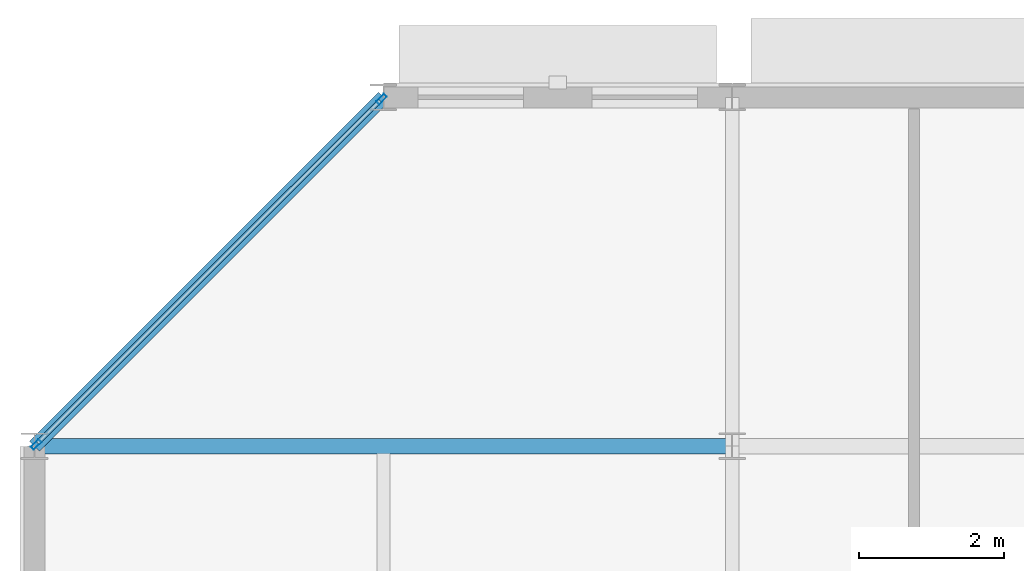
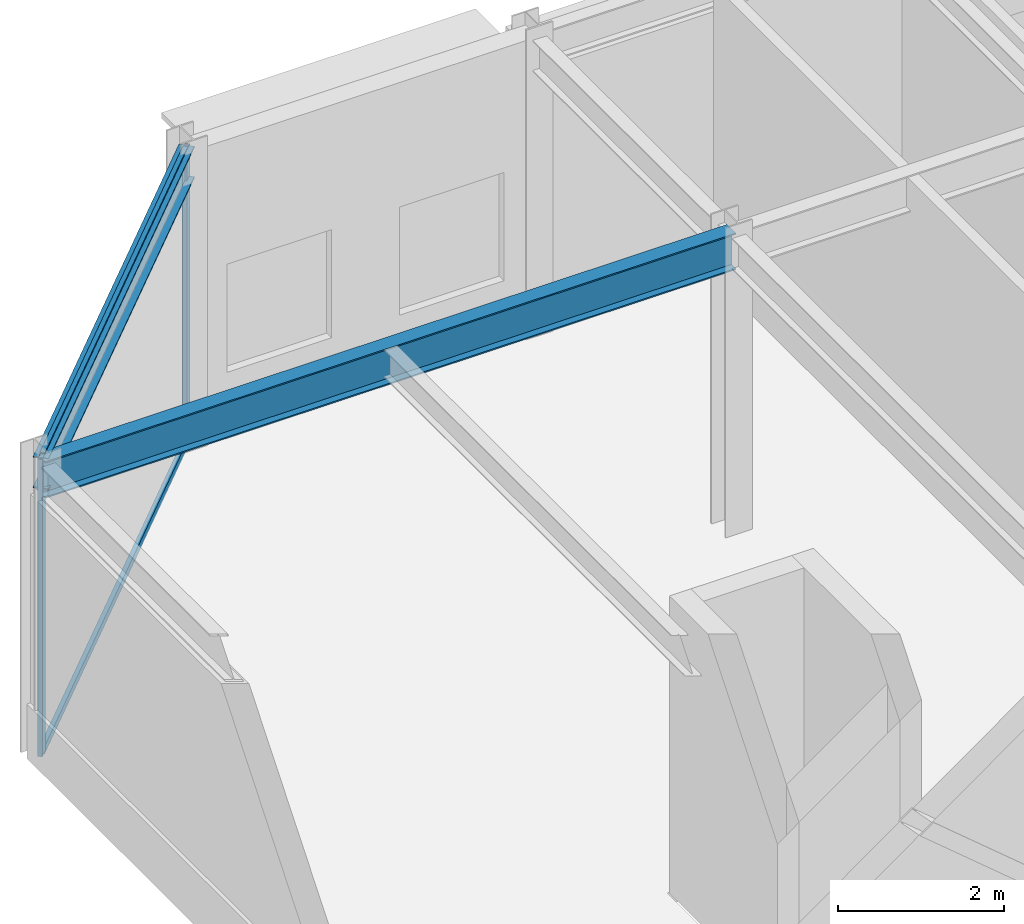
# One storey, part 43 of 116: 4 members, 2 beams, 1 element without a shape of its own.
"""IFC4 building model written with IfcOpenShell, lengths in metres."""

import ifcopenshell
import ifcopenshell.guid

model = None  # the IFC model being written
_history = None  # IfcOwnerHistory: only IFC2X3 demands one
_inside = {}  # id of a spatial element -> (the spatial element, [elements in it])
_under = {}  # id of a project, library or spatial element -> (it, [spatial elements below it])
_declared = {}  # id of a project -> (the project, [libraries it declares])
_typed = {}  # id of a type object -> (the type object, [elements of that type])
_made_of = {}  # id of a material, layer set ... -> (it, [elements and type objects made of it])


def new_model(schema):
    """Start an empty IFC model of exactly this schema.

    Asked for "IFC4X3", IfcOpenShell would pick the latest addendum, in which some entities
    have other attributes; the version numbers below select the first issue.
    IFC2X3 requires an IfcOwnerHistory on every rooted entity: one is made here for all.
    """
    global model, _history
    if schema == "IFC4X3":
        model = ifcopenshell.file(schema_version=(4, 3, 0, 0))
    else:
        model = ifcopenshell.file(schema=schema)
    _inside.clear()
    _under.clear()
    _declared.clear()
    _typed.clear()
    _made_of.clear()
    _history = None
    if model.schema == "IFC2X3":
        org = make("IfcOrganization", Name="unknown")
        user = make(
            "IfcPersonAndOrganization",
            ThePerson=make("IfcPerson", FamilyName="unknown"),
            TheOrganization=org,
        )
        app = make(
            "IfcApplication",
            ApplicationDeveloper=org,
            Version="unknown",
            ApplicationFullName="unknown",
            ApplicationIdentifier="unknown",
        )
        _history = make(
            "IfcOwnerHistory",
            OwningUser=user,
            OwningApplication=app,
            ChangeAction="ADDED",
            CreationDate=0,
        )
    return model


def make(cls, **values):
    """One entity of the class cls with the attributes given. An attribute that is None is left unset."""
    return model.create_entity(
        cls, **{name: value for name, value in values.items() if value is not None}
    )


def rooted(cls, **values):
    """An entity with a GlobalId (a new one), such as an element, a storey or a relation."""
    return make(cls, GlobalId=ifcopenshell.guid.new(), OwnerHistory=_history, **values)


def si_unit(unit_type, name, prefix=None):
    """IfcSIUnit, for example si_unit("LENGTHUNIT", "METRE", prefix="MILLI")."""
    return make("IfcSIUnit", UnitType=unit_type, Prefix=prefix, Name=name)


def assignment(units):
    """IfcUnitAssignment: the units of a project."""
    return None if units is None else make("IfcUnitAssignment", Units=units)


def point(xyz):
    """IfcCartesianPoint."""
    return None if xyz is None else make("IfcCartesianPoint", Coordinates=xyz)


def direction(xyz):
    """IfcDirection."""
    return None if xyz is None else make("IfcDirection", DirectionRatios=xyz)


def frame(location, z_axis=None, x_axis=None):
    """IfcAxis2Placement3D, a coordinate frame: its origin and axes. An axis left out is left unset."""
    return make(
        "IfcAxis2Placement3D",
        Location=point(location),
        Axis=direction(z_axis),
        RefDirection=direction(x_axis),
    )


def frame_2d(location, x_axis=None):
    """IfcAxis2Placement2D, a coordinate frame in the plane: its origin and x axis."""
    return make(
        "IfcAxis2Placement2D", Location=point(location), RefDirection=direction(x_axis)
    )


def origin():
    """The frame at (0, 0, 0) with its axes left unset."""
    return frame((0.0, 0.0, 0.0))


def origin_2d():
    """The frame at (0, 0) in the plane with its x axis left unset."""
    return frame_2d((0.0, 0.0))


def place(relative_to, where):
    """IfcLocalPlacement: puts the frame where relative to a parent placement (None: the world)."""
    return make(
        "IfcLocalPlacement", PlacementRelTo=relative_to, RelativePlacement=where
    )


def context(
    kind, dimensions, precision=None, world=None, true_north=None, identifier=None
):
    """IfcGeometricRepresentationContext, for example the 3D "Model" context."""
    return make(
        "IfcGeometricRepresentationContext",
        ContextIdentifier=identifier,
        ContextType=kind,
        CoordinateSpaceDimension=dimensions,
        Precision=precision,
        WorldCoordinateSystem=world,
        TrueNorth=true_north,
    )


def subcontext(parent, identifier, kind, view, scale=None):
    """IfcGeometricRepresentationSubContext, for example "Body" below "Model"."""
    return make(
        "IfcGeometricRepresentationSubContext",
        ContextIdentifier=identifier,
        ContextType=kind,
        ParentContext=parent,
        TargetScale=scale,
        TargetView=view,
    )


def project(units=None, contexts=None):
    """IfcProject with its units and contexts."""
    return rooted(
        "IfcProject",
        Name="project",
        RepresentationContexts=contexts,
        UnitsInContext=assignment(units),
    )


def spatial(cls, under=None, at=None, **own):
    """A site, building, storey or space (cls), placed at a placement, below another one or the project."""
    s = rooted(cls, ObjectPlacement=at, **own)
    if under is not None:
        _under.setdefault(under.id(), (under, []))[1].append(s)
    return s


def profile(cls, at=None, kind="AREA", **sizes):
    """A parametric profile (cls). Its sizes go by their IFC names, for example OverallWidth=200.0."""
    return make(cls, ProfileType=kind, Position=at, **sizes)


def hollow_rectangle(**sizes):
    """IfcRectangleHollowProfileDef."""
    return profile("IfcRectangleHollowProfileDef", **sizes)


def i_section(**sizes):
    """IfcIShapeProfileDef."""
    return profile("IfcIShapeProfileDef", **sizes)


def extrude(swept, where, along, depth):
    """IfcExtrudedAreaSolid: the profile swept, set in the frame where, extruded along a direction by depth."""
    return make(
        "IfcExtrudedAreaSolid",
        SweptArea=swept,
        Position=where,
        ExtrudedDirection=direction(along),
        Depth=depth,
    )


def shape(context_of_items, identifier, shape_type, items):
    """IfcShapeRepresentation: the items that make up one representation, for example the "Body"."""
    return make(
        "IfcShapeRepresentation",
        ContextOfItems=context_of_items,
        RepresentationIdentifier=identifier,
        RepresentationType=shape_type,
        Items=items,
    )


def material(Name=None, Category=None):
    """IfcMaterial."""
    return make("IfcMaterial", Name=Name, Category=Category)


def material_profile(
    of_material, cross_section, Name=None, Category=None, Priority=None
):
    """IfcMaterialProfile: a cross section and its material."""
    return make(
        "IfcMaterialProfile",
        Name=Name,
        Material=of_material,
        Profile=cross_section,
        Priority=Priority,
        Category=Category,
    )


def profile_set(profiles, Name=None, composite=None):
    """IfcMaterialProfileSet."""
    return make(
        "IfcMaterialProfileSet",
        Name=Name,
        MaterialProfiles=profiles,
        CompositeProfile=composite,
    )


def made_of(thing, what):
    """Note that an element or type object is made of a material, layer set ...; save() writes the relation."""
    if what is not None:
        _made_of.setdefault(what.id(), (what, []))[1].append(thing)
    return thing


def type_object(cls, material=None, **own):
    """A type object (cls), such as IfcWallType, which elements share."""
    return made_of(rooted(cls, **own), material)


def element(
    cls,
    number,
    at=None,
    inside=None,
    cuts=None,
    type_object=None,
    material=None,
    context=None,
    identifier="Body",
    shape_type=None,
    held_by="IfcProductDefinitionShape",
    body=None,
    shapes=None,
    **own,
):
    """One element of the class cls, such as IfcWall. Its Tag is "e" and its number.

    at: its placement. inside: the storey or other place that contains it. cuts: it is an
    opening in that element (IfcRelVoidsElement). A single representation is given by context,
    identifier, shape_type and body (its items); several are given by shapes. held_by: the class
    of the entity that holds the representations. save() writes the other relations.
    """
    e = rooted(cls, Tag="e%d" % number, ObjectPlacement=at, **own)
    if body is not None:
        shapes = [shape(context, identifier, shape_type, body)]
    if shapes is not None:
        e.Representation = make(held_by, Representations=shapes)
    if inside is not None:
        _inside.setdefault(inside.id(), (inside, []))[1].append(e)
    if cuts is not None:
        rooted(
            "IfcRelVoidsElement", RelatingBuildingElement=cuts, RelatedOpeningElement=e
        )
    if type_object is not None:
        _typed.setdefault(type_object.id(), (type_object, []))[1].append(e)
    return made_of(e, material)


def aggregate(whole, parts):
    """IfcRelAggregates: a whole, such as a stair, and the parts it consists of."""
    return rooted("IfcRelAggregates", RelatingObject=whole, RelatedObjects=parts)


def save(model, path):
    """Write the relations noted so far, then the file.

    IfcRelAggregates (storeys below a building ...), IfcRelContainedInSpatialStructure (elements
    in a storey), IfcRelDefinesByType, IfcRelAssociatesMaterial and IfcRelDeclares: one each for
    every whole, place, type object, material and project.
    """
    for whole, parts in _under.values():
        aggregate(whole, parts)
    for where, things in _inside.values():
        rooted(
            "IfcRelContainedInSpatialStructure",
            RelatedElements=things,
            RelatingStructure=where,
        )
    for kind, things in _typed.values():
        rooted("IfcRelDefinesByType", RelatedObjects=things, RelatingType=kind)
    for what, things in _made_of.values():
        rooted("IfcRelAssociatesMaterial", RelatedObjects=things, RelatingMaterial=what)
    for by, libraries in _declared.values():
        rooted("IfcRelDeclares", RelatingContext=by, RelatedDefinitions=libraries)
    model.write(path)


model = new_model("IFC4")

# Units and contexts
model_context = context("Model", 3, precision=1e-05, world=origin(), true_north=direction((0.0, 1.0)))
body_context = subcontext(model_context, "Body", "Model", "MODEL_VIEW")
ifc_project = project(units=[si_unit("LENGTHUNIT", "METRE"), si_unit("AREAUNIT", "SQUARE_METRE"), si_unit("VOLUMEUNIT", "CUBIC_METRE"), si_unit("PLANEANGLEUNIT", "RADIAN"), si_unit("MASSUNIT", "GRAM", prefix="KILO")], contexts=[model_context])

# Site, building, storey
site_placement = place(None, origin())
site = spatial("IfcSite", under=ifc_project, at=site_placement, CompositionType="ELEMENT")
building_placement = place(site_placement, origin())
building = spatial("IfcBuilding", under=site, at=building_placement, Name="Almandine Court Research Institute", CompositionType="ELEMENT")
storey_placement = place(building_placement, frame((0.0, 0.0, 14.35009765625)))
storey = spatial("IfcBuildingStorey", under=building, at=storey_placement, Name="L03", CompositionType="ELEMENT", Elevation=14.35009765625)

# Beams
ifc_material_1 = material(Name="Steel ASTM A992 Grade 50", Category="steel")
ifc_material_profile_1 = material_profile(ifc_material_1, i_section(OverallWidth=0.2109375, OverallDepth=0.5390625, WebThickness=0.011962890625, FlangeThickness=0.01904296875, at=origin_2d()), Name="W530x109")
ifc_profile_set_1 = profile_set([ifc_material_profile_1], Name="Steel ASTM A992 Grade 50")
beam_type_1 = type_object("IfcBeamType", Name="Beam-G-04", PredefinedType="BEAM", material=ifc_profile_set_1)
beam_1_placement = place(storey_placement, frame((6.0, 112.800048828125, 4.099853515625), z_axis=(1.0, 0.0, 0.0), x_axis=(0.0, 1.0, 0.0)))
element("IfcBeam", 1, at=beam_1_placement, inside=storey, type_object=beam_type_1, Name="L03 V3 Primary X Girder", PredefinedType="BEAM", context=body_context, shape_type="SweptSolid", body=[
    extrude(i_section(OverallWidth=0.2109375, OverallDepth=0.5390625, WebThickness=0.011962890625, FlangeThickness=0.01904296875, at=origin_2d()), origin(), (0.0, 0.0, 1.0), 9.60009765625),
])
ifc_material_profile_2 = material_profile(ifc_material_1, i_section(OverallWidth=0.193115234375, OverallDepth=0.466064453125, WebThickness=0.010986328125, FlangeThickness=0.01904296875, at=origin_2d()), Name="W460x97")
ifc_profile_set_2 = profile_set([ifc_material_profile_2], Name="Steel ASTM A992 Grade 50")
beam_type_2 = type_object("IfcBeamType", Name="Beam-G-06-E", PredefinedType="SPANDREL", material=ifc_profile_set_2)
beam_2_placement = place(storey_placement, frame((10.800048828125, 117.60009765625, 4.136962890625), z_axis=(-0.707106781187, -0.707106781187, 0.0), x_axis=(0.707106781187, -0.707106781187, 0.0)))
element("IfcBeam", 2, at=beam_2_placement, inside=storey, type_object=beam_type_2, Name="L03 V3 Octagonal Chamfer Spandrel", PredefinedType="SPANDREL", context=body_context, shape_type="SweptSolid", body=[
    extrude(i_section(OverallWidth=0.193115234375, OverallDepth=0.466064453125, WebThickness=0.010986328125, FlangeThickness=0.01904296875, at=origin_2d()), origin(), (0.0, 0.0, 1.0), 6.788330078125),
])

# Curtain wall, members
ifc_material_2 = material(Name="Unitised Curtain Wall Framing and Solar Glazing", Category="glass")
curtain_wall_type = type_object("IfcCurtainWallType", Name="CW-CWG-05", PredefinedType="USERDEFINED", material=ifc_material_2)
curtain_wall_placement = place(storey_placement, origin())
curtain_wall = element("IfcCurtainWall", 3, at=curtain_wall_placement, inside=storey, type_object=curtain_wall_type, Name="L03 Cleanroom NW Chamfer Glazing", ObjectType="UNITISED GLAZING", PredefinedType="USERDEFINED")
ifc_material_3 = material(Name="Anodised Aluminium AW-6063-T6", Category="aluminium")
ifc_material_profile_3 = material_profile(ifc_material_3, hollow_rectangle(XDim=0.06005859375, YDim=0.14990234375, WallThickness=0.00390625, at=origin_2d()), Name="ALU RHS 60x150x4")
ifc_profile_set_3 = profile_set([ifc_material_profile_3], Name="Anodised Aluminium AW-6063-T6")
member_type_1 = type_object("IfcMemberType", Name="CWMul-60x150", PredefinedType="MULLION", material=ifc_profile_set_3)
member_1_placement = place(storey_placement, frame((6.025146484375, 112.8251953125, 0.0), z_axis=(0.0, 0.0, 1.0), x_axis=(-0.707106781187, 0.707106781187, 0.0)))
member_1 = element("IfcMember", 4, at=member_1_placement, type_object=member_type_1, Name="CWG-05 mullion 1", PredefinedType="MULLION", context=body_context, shape_type="SweptSolid", body=[
    extrude(hollow_rectangle(XDim=0.06005859375, YDim=0.14990234375, WallThickness=0.00390625, at=origin_2d()), origin(), (0.0, 0.0, 1.0), 4.369873046875),
])
member_2_placement = place(storey_placement, frame((10.77490234375, 117.57470703125, 0.0), z_axis=(0.0, 0.0, 1.0), x_axis=(-0.707106781187, 0.707106781187, 0.0)))
member_2 = element("IfcMember", 5, at=member_2_placement, type_object=member_type_1, Name="CWG-05 mullion 2", PredefinedType="MULLION", context=body_context, shape_type="SweptSolid", body=[
    extrude(hollow_rectangle(XDim=0.06005859375, YDim=0.14990234375, WallThickness=0.00390625, at=origin_2d()), origin(), (0.0, 0.0, 1.0), 4.369873046875),
])
ifc_material_profile_4 = material_profile(ifc_material_3, hollow_rectangle(XDim=0.06005859375, YDim=0.110107421875, WallThickness=0.00390625, at=origin_2d()), Name="ALU RHS 60x110x4")
ifc_profile_set_4 = profile_set([ifc_material_profile_4], Name="Anodised Aluminium AW-6063-T6")
member_type_2 = type_object("IfcMemberType", Name="CWTrn-60x110", PredefinedType="NOTDEFINED", material=ifc_profile_set_4)
member_3_placement = place(storey_placement, frame((6.04638671875, 112.846435546875, 0.02978515625), z_axis=(0.707125118305, 0.707088443593, 0.0), x_axis=(-0.707088443593, 0.707125118305, 0.0)))
member_3 = element("IfcMember", 6, at=member_3_placement, type_object=member_type_2, Name="CWG-05 transom 1.1", ObjectType="TRANSOM", PredefinedType="USERDEFINED", context=body_context, shape_type="SweptSolid", body=[
    extrude(hollow_rectangle(XDim=0.06005859375, YDim=0.110107421875, WallThickness=0.00390625, at=origin_2d()), origin(), (0.0, 0.0, 1.0), 6.656982421875),
])
member_4_placement = place(storey_placement, frame((6.04638671875, 112.846435546875, 4.33984375), z_axis=(0.707125118305, 0.707088443593, 0.0), x_axis=(-0.707088443593, 0.707125118305, 0.0)))
member_4 = element("IfcMember", 7, at=member_4_placement, type_object=member_type_2, Name="CWG-05 transom 1.2", ObjectType="TRANSOM", PredefinedType="USERDEFINED", context=body_context, shape_type="SweptSolid", body=[
    extrude(hollow_rectangle(XDim=0.06005859375, YDim=0.110107421875, WallThickness=0.00390625, at=origin_2d()), origin(), (0.0, 0.0, 1.0), 6.656982421875),
])
aggregate(curtain_wall, [member_1, member_2, member_3, member_4])

save(model, "model.ifc")
